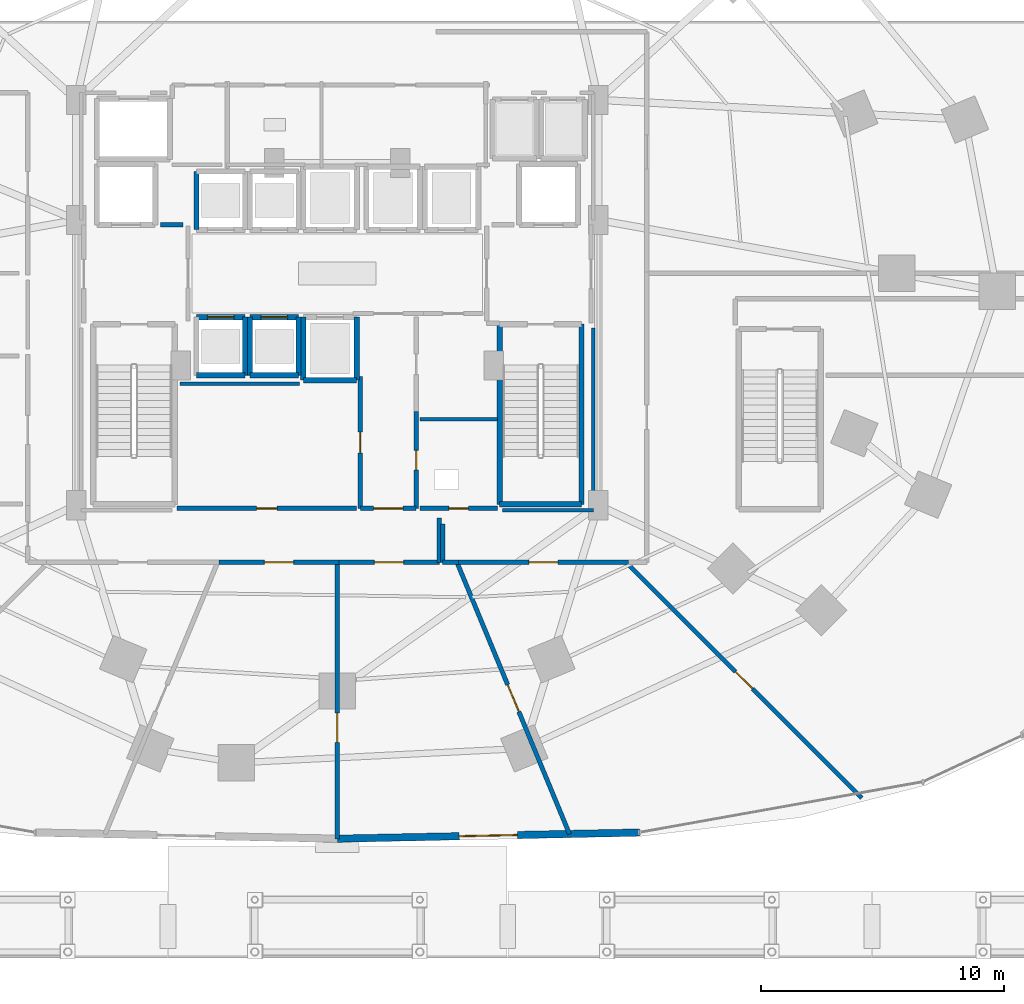
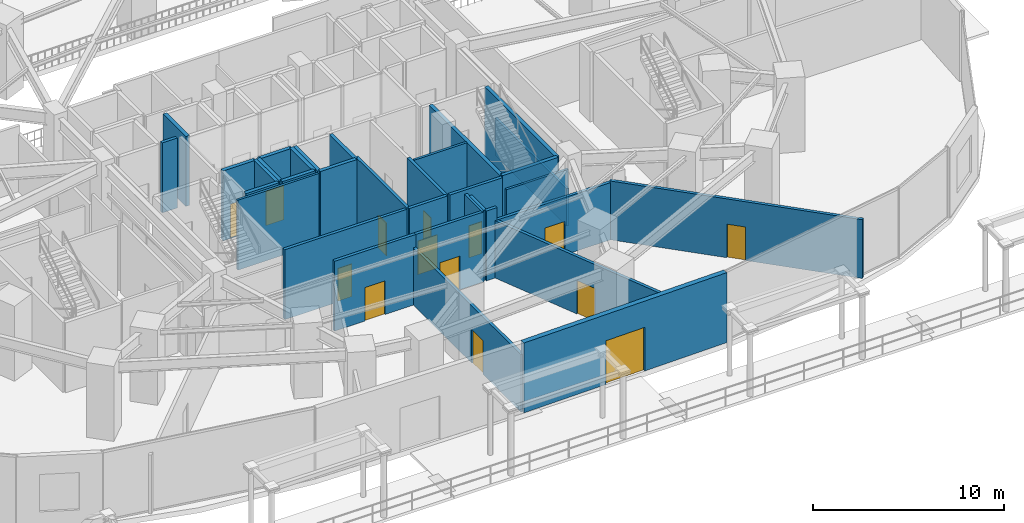
# One storey, part 27 of 36: 34 walls, 14 doors, 14 openings.
"""IFC4 building model written with IfcOpenShell, lengths in metres."""

from ifc_helpers import new_model, si_unit, direction, frame, frame_2d, origin, place, context, subcontext, project, spatial, rectangle, extrude, material, layer, layer_set, type_object, element, fill, save


model = new_model("IFC4")

# Units and contexts
model_context = context("Model", 3, precision=1e-05, world=origin(), true_north=direction((0.0, 1.0)))
body_context = subcontext(model_context, "Body", "Model", "MODEL_VIEW")
ifc_project = project(units=[si_unit("LENGTHUNIT", "METRE"), si_unit("AREAUNIT", "SQUARE_METRE"), si_unit("VOLUMEUNIT", "CUBIC_METRE"), si_unit("PLANEANGLEUNIT", "RADIAN"), si_unit("MASSUNIT", "GRAM", prefix="KILO")], contexts=[model_context])

# Site, building, storey
site_placement = place(None, origin())
site = spatial("IfcSite", under=ifc_project, at=site_placement, CompositionType="ELEMENT")
building_placement = place(site_placement, origin())
building = spatial("IfcBuilding", under=site, at=building_placement, Name="Vorneva Point Tower", CompositionType="ELEMENT")
storey_placement = place(building_placement, origin())
storey = spatial("IfcBuildingStorey", under=building, at=storey_placement, Name="L00", CompositionType="ELEMENT", Elevation=0.0)

# Wall, opening, door
ifc_material_1 = material(Name="Precast concrete B50 (C40/50)", Category="concrete")
ifc_layer_1 = layer(ifc_material_1, 0.300048828125)
ifc_layer_set_1 = layer_set([ifc_layer_1], Name="Precast concrete B50 (C40/50)")
wall_type_1 = type_object("IfcWallType", Name="WL-EXT-300", PredefinedType="STANDARD", material=ifc_layer_set_1)
wall_1_placement = place(storey_placement, frame((38.0, 2.714599609375, 0.0), z_axis=(0.0, 0.0, 1.0), x_axis=(0.999791851131, 0.020402313892, 0.0)))
wall_1 = element("IfcWall", 1, at=wall_1_placement, inside=storey, type_object=wall_type_1, Name="L00 Waterfront Facade Wall 25", PredefinedType="STANDARD", context=body_context, shape_type="SweptSolid", body=[
    extrude(rectangle(XDim=12.445068359375, YDim=0.300048828125, at=frame_2d((6.22265625, 0.0))), origin(), (0.0, 0.0, 1.0), 4.47998046875),
])
opening_1_placement = place(wall_1_placement, frame((5.0224609375, 0.0, 0.0)))
opening_1 = element("IfcOpeningElement", 2, at=opening_1_placement, cuts=wall_1, Name="Opening ED-01", PredefinedType="OPENING", context=body_context, shape_type="SweptSolid", body=[
    extrude(rectangle(XDim=2.39990234375, YDim=2.800048828125, at=frame_2d((1.199951171875, 1.39990234375))), frame((0.0, 0.1650390625, 0.0), z_axis=(0.0, -1.0, 0.0), x_axis=(1.0, 0.0, 0.0)), (0.0, 0.0, 1.0), 0.329833984375),
])
ifc_material_2 = material(Name="Pale anodised aluminium", Category="aluminium")
door_type_1 = type_object("IfcDoorType", Name="DR-ENT-2400", OperationType="DOUBLE_SWING_LEFT", PredefinedType="DOOR", material=ifc_material_2)
door_1_placement = place(opening_1_placement, frame((2.39990234375, 0.0, 0.0), z_axis=(0.0, 0.0, 1.0), x_axis=(-1.0, 0.0, 0.0)))
door_1 = element("IfcDoor", 3, at=door_1_placement, inside=storey, type_object=door_type_1, Name="L00 Main Waterfront Entrance Door 25", OperationType="DOUBLE_SWING_LEFT", OverallHeight=2.800048828125, OverallWidth=2.39990234375, PredefinedType="DOOR", context=body_context, shape_type="SweptSolid", body=[
    extrude(rectangle(XDim=2.39990234375, YDim=2.800048828125, at=frame_2d((1.199951171875, 1.39990234375))), frame((0.0, 0.02490234375, 0.0), z_axis=(0.0, -1.0, 0.0), x_axis=(1.0, 0.0, 0.0)), (0.0, 0.0, 1.0), 0.050048828125),
])
fill(opening_1, door_1)

# Walls
ifc_material_3 = material(Name="Fire-rated acoustic gypsum stud partition", Category="gypsum")
ifc_layer_2 = layer(ifc_material_3, 0.139892578125)
ifc_layer_set_2 = layer_set([ifc_layer_2], Name="Fire-rated acoustic gypsum stud partition")
wall_type_2 = type_object("IfcWallType", Name="WL-PART-140", PredefinedType="PARTITIONING", material=ifc_layer_set_2)
wall_2_placement = place(storey_placement, frame((44.60009765625, 20.0, 0.0), z_axis=(0.0, 0.0, 1.0), x_axis=(-1.0, 0.0, 0.0)))
element("IfcWall", 4, at=wall_2_placement, inside=storey, type_object=wall_type_2, Name="L00 Interior Partition 015", PredefinedType="PARTITIONING", context=body_context, shape_type="SweptSolid", body=[
    extrude(rectangle(XDim=3.2001953125, YDim=0.139892578125, at=frame_2d((1.60009765625, 0.0))), origin(), (0.0, 0.0, 1.0), 4.47998046875),
])
wall_3_placement = place(storey_placement, frame((36.43896484375, 21.449951171875, 0.0), z_axis=(0.0, 0.0, 1.0), x_axis=(-1.0, 0.0, 0.0)))
element("IfcWall", 5, at=wall_3_placement, inside=storey, type_object=wall_type_2, Name="L00 Interior Closure Partition 058", PredefinedType="PARTITIONING", context=body_context, shape_type="SweptSolid", body=[
    extrude(rectangle(XDim=4.908935546875, YDim=0.139892578125, at=frame_2d((2.45458984375, 0.0))), origin(), (0.0, 0.0, 1.0), 4.47998046875),
])
wall_4_placement = place(storey_placement, frame((48.550048828125, 23.75390625, 0.0), z_axis=(0.0, 0.0, 1.0), x_axis=(0.0, -1.0, 0.0)))
element("IfcWall", 6, at=wall_4_placement, inside=storey, type_object=wall_type_2, Name="L00 Interior Closure Partition 062", PredefinedType="PARTITIONING", context=body_context, shape_type="SweptSolid", body=[
    extrude(rectangle(XDim=7.513916015625, YDim=0.139892578125, at=frame_2d((3.7568359375, 0.0))), origin(), (0.0, 0.0, 1.0), 2.406005859375),
])
wall_5_placement = place(storey_placement, frame((48.550048828125, 16.239990234375, 0.0), z_axis=(0.0, 0.0, 1.0), x_axis=(-1.0, 0.0, 0.0)))
element("IfcWall", 7, at=wall_5_placement, inside=storey, type_object=wall_type_2, Name="L00 Interior Closure Partition 063", PredefinedType="PARTITIONING", context=body_context, shape_type="SweptSolid", body=[
    extrude(rectangle(XDim=3.7451171875, YDim=0.139892578125, at=frame_2d((1.87255859375, 0.0))), origin(), (0.0, 0.0, 1.0), 3.672119140625),
])

# Wall, opening, door
ifc_material_4 = material(Name="Autoclaved aerated concrete blockwork", Category="masonry")
ifc_layer_3 = layer(ifc_material_4, 0.179931640625)
ifc_layer_set_3 = layer_set([ifc_layer_3], Name="Autoclaved aerated concrete blockwork")
wall_type_3 = type_object("IfcWallType", Name="WL-PART-180", PredefinedType="PARTITIONING", material=ifc_layer_set_3)
wall_6_placement = place(storey_placement, frame((41.25, 16.320068359375, 0.0), z_axis=(0.0, 0.0, 1.0), x_axis=(0.0, 1.0, 0.0)))
wall_6 = element("IfcWall", 8, at=wall_6_placement, inside=storey, type_object=wall_type_3, Name="L00 Interior Partition 011", PredefinedType="PARTITIONING", context=body_context, shape_type="SweptSolid", body=[
    extrude(rectangle(XDim=3.98486328125, YDim=0.179931640625, at=frame_2d((1.992431640625, 0.0))), origin(), (0.0, 0.0, 1.0), 4.47998046875),
])
opening_2_placement = place(wall_6_placement, frame((1.592529296875, 0.0, 0.0)))
opening_2 = element("IfcOpeningElement", 9, at=opening_2_placement, cuts=wall_6, Name="Opening RD-01", PredefinedType="OPENING", context=body_context, shape_type="SweptSolid", body=[
    extrude(rectangle(XDim=0.800048828125, YDim=2.050048828125, at=frame_2d((0.39990234375, 1.02490234375))), frame((0.0, 0.10498046875, 0.0), z_axis=(0.0, -1.0, 0.0), x_axis=(1.0, 0.0, 0.0)), (0.0, 0.0, 1.0), 0.209716796875),
])
ifc_material_5 = material(Name="Fire-rated powder-coated steel", Category="steel")
door_type_2 = type_object("IfcDoorType", Name="DR-RSR-800", OperationType="SINGLE_SWING_LEFT", PredefinedType="DOOR", material=ifc_material_5)
door_2_placement = place(opening_2_placement, origin())
door_2 = element("IfcDoor", 10, at=door_2_placement, inside=storey, type_object=door_type_2, Name="L00 Door Core Service Lobby / Electrical Riser", OperationType="SINGLE_SWING_RIGHT", OverallHeight=2.050048828125, OverallWidth=0.800048828125, PredefinedType="DOOR", context=body_context, shape_type="SweptSolid", body=[
    extrude(rectangle(XDim=0.800048828125, YDim=2.050048828125, at=frame_2d((0.39990234375, 1.02490234375))), frame((0.0, 0.02490234375, 0.0), z_axis=(0.0, -1.0, 0.0), x_axis=(1.0, 0.0, 0.0)), (0.0, 0.0, 1.0), 0.050048828125),
])
fill(opening_2, door_2)

wall_7_placement = place(storey_placement, frame((38.949951171875, 21.7548828125, 0.0), z_axis=(0.0, 0.0, 1.0), x_axis=(0.0, -1.0, 0.0)))
wall_7 = element("IfcWall", 11, at=wall_7_placement, inside=storey, type_object=wall_type_3, Name="L00 Interior Partition 013", PredefinedType="PARTITIONING", context=body_context, shape_type="SweptSolid", body=[
    extrude(rectangle(XDim=5.434814453125, YDim=0.179931640625, at=frame_2d((2.71728515625, 0.0))), origin(), (0.0, 0.0, 1.0), 4.47998046875),
])
opening_3_placement = place(wall_7_placement, frame((2.29248046875, 0.0, 0.0)))
opening_3 = element("IfcOpeningElement", 12, at=opening_3_placement, cuts=wall_7, Name="Opening ID-02", PredefinedType="OPENING", context=body_context, shape_type="SweptSolid", body=[
    extrude(rectangle(XDim=0.85009765625, YDim=2.10009765625, at=frame_2d((0.425048828125, 1.050048828125))), frame((0.0, 0.10498046875, 0.0), z_axis=(0.0, -1.0, 0.0), x_axis=(1.0, 0.0, 0.0)), (0.0, 0.0, 1.0), 0.209716796875),
])
ifc_material_6 = material(Name="Engineered oak fire-rated door leaf", Category="wood")
door_type_3 = type_object("IfcDoorType", Name="DR-BATH-850", OperationType="NOTDEFINED", PredefinedType="DOOR", material=ifc_material_6)
door_3_placement = place(opening_3_placement, origin())
door_3 = element("IfcDoor", 13, at=door_3_placement, inside=storey, type_object=door_type_3, Name="L00 Door Core Service Lobby / Floor Storage Room", OperationType="SINGLE_SWING_RIGHT", OverallHeight=2.10009765625, OverallWidth=0.85009765625, PredefinedType="DOOR", context=body_context, shape_type="SweptSolid", body=[
    extrude(rectangle(XDim=0.85009765625, YDim=2.10009765625, at=frame_2d((0.425048828125, 1.050048828125))), frame((0.0, 0.02490234375, 0.0), z_axis=(0.0, -1.0, 0.0), x_axis=(1.0, 0.0, 0.0)), (0.0, 0.0, 1.0), 0.050048828125),
])
fill(opening_3, door_3)

wall_8_placement = place(storey_placement, frame((38.949951171875, 16.320068359375, 0.0), z_axis=(0.0, 0.0, 1.0), x_axis=(1.0, 0.0, 0.0)))
wall_8 = element("IfcWall", 14, at=wall_8_placement, inside=storey, type_object=wall_type_3, Name="L00 Interior Partition 014", PredefinedType="PARTITIONING", context=body_context, shape_type="SweptSolid", body=[
    extrude(rectangle(XDim=2.300048828125, YDim=0.179931640625, at=frame_2d((1.14990234375, 0.0))), origin(), (0.0, 0.0, 1.0), 4.47998046875),
])
opening_4_placement = place(wall_8_placement, frame((0.550048828125, 0.0, 0.0)))
opening_4 = element("IfcOpeningElement", 15, at=opening_4_placement, cuts=wall_8, Name="Opening FD-02", PredefinedType="OPENING", context=body_context, shape_type="SweptSolid", body=[
    extrude(rectangle(XDim=1.199951171875, YDim=2.14990234375, at=frame_2d((0.60009765625, 1.074951171875))), frame((0.0, 0.10498046875, 0.0), z_axis=(0.0, -1.0, 0.0), x_axis=(1.0, 0.0, 0.0)), (0.0, 0.0, 1.0), 0.209716796875),
])
door_type_4 = type_object("IfcDoorType", Name="DR-FFL-1200", OperationType="NOTDEFINED", PredefinedType="DOOR", material=ifc_material_5)
door_4_placement = place(opening_4_placement, origin())
door_4 = element("IfcDoor", 16, at=door_4_placement, inside=storey, type_object=door_type_4, Name="L00 Door Core Service Lobby / L00 Circulation Corridor", OperationType="SINGLE_SWING_LEFT", OverallHeight=2.14990234375, OverallWidth=1.199951171875, PredefinedType="DOOR", context=body_context, shape_type="SweptSolid", body=[
    extrude(rectangle(XDim=1.199951171875, YDim=2.14990234375, at=frame_2d((0.60009765625, 1.074951171875))), frame((0.0, 0.02490234375, 0.0), z_axis=(0.0, -1.0, 0.0), x_axis=(1.0, 0.0, 0.0)), (0.0, 0.0, 1.0), 0.050048828125),
])
fill(opening_4, door_4)

wall_9_placement = place(storey_placement, frame((41.39990234375, 16.320068359375, 0.0), z_axis=(0.0, 0.0, 1.0), x_axis=(1.0, 0.0, 0.0)))
wall_9 = element("IfcWall", 17, at=wall_9_placement, inside=storey, type_object=wall_type_3, Name="L00 Interior Partition 016", PredefinedType="PARTITIONING", context=body_context, shape_type="SweptSolid", body=[
    extrude(rectangle(XDim=3.2001953125, YDim=0.179931640625, at=frame_2d((1.60009765625, 0.0))), origin(), (0.0, 0.0, 1.0), 4.47998046875),
])
opening_5_placement = place(wall_9_placement, frame((1.199951171875, 0.0, 0.0)))
opening_5 = element("IfcOpeningElement", 18, at=opening_5_placement, cuts=wall_9, Name="Opening RD-01", PredefinedType="OPENING", context=body_context, shape_type="SweptSolid", body=[
    extrude(rectangle(XDim=0.800048828125, YDim=2.050048828125, at=frame_2d((0.39990234375, 1.02490234375))), frame((0.0, 0.10498046875, 0.0), z_axis=(0.0, -1.0, 0.0), x_axis=(1.0, 0.0, 0.0)), (0.0, 0.0, 1.0), 0.209716796875),
])
door_5_placement = place(opening_5_placement, origin())
door_5 = element("IfcDoor", 19, at=door_5_placement, inside=storey, type_object=door_type_2, Name="L00 Door Electrical Riser / L00 Circulation Corridor", OperationType="SINGLE_SWING_RIGHT", OverallHeight=2.050048828125, OverallWidth=0.800048828125, PredefinedType="DOOR", context=body_context, shape_type="SweptSolid", body=[
    extrude(rectangle(XDim=0.800048828125, YDim=2.050048828125, at=frame_2d((0.39990234375, 1.02490234375))), frame((0.0, 0.02490234375, 0.0), z_axis=(0.0, -1.0, 0.0), x_axis=(1.0, 0.0, 0.0)), (0.0, 0.0, 1.0), 0.050048828125),
])
fill(opening_5, door_5)

wall_10_placement = place(storey_placement, frame((31.39990234375, 16.320068359375, 0.0), z_axis=(0.0, 0.0, 1.0), x_axis=(1.0, 0.0, 0.0)))
wall_10 = element("IfcWall", 20, at=wall_10_placement, inside=storey, type_object=wall_type_3, Name="L00 Interior Partition 021", PredefinedType="PARTITIONING", context=body_context, shape_type="SweptSolid", body=[
    extrude(rectangle(XDim=7.400146484375, YDim=0.179931640625, at=frame_2d((3.7001953125, 0.0))), origin(), (0.0, 0.0, 1.0), 4.47998046875),
])
opening_6_placement = place(wall_10_placement, frame((3.27490234375, 0.0, 0.0)))
opening_6 = element("IfcOpeningElement", 21, at=opening_6_placement, cuts=wall_10, Name="Opening ID-02", PredefinedType="OPENING", context=body_context, shape_type="SweptSolid", body=[
    extrude(rectangle(XDim=0.85009765625, YDim=2.10009765625, at=frame_2d((0.425048828125, 1.050048828125))), frame((0.0, 0.10498046875, 0.0), z_axis=(0.0, -1.0, 0.0), x_axis=(1.0, 0.0, 0.0)), (0.0, 0.0, 1.0), 0.209716796875),
])
door_6_placement = place(opening_6_placement, origin())
door_6 = element("IfcDoor", 22, at=door_6_placement, inside=storey, type_object=door_type_3, Name="L00 Door Floor Storage Room / L00 Circulation Corridor", OperationType="SINGLE_SWING_LEFT", OverallHeight=2.10009765625, OverallWidth=0.85009765625, PredefinedType="DOOR", context=body_context, shape_type="SweptSolid", body=[
    extrude(rectangle(XDim=0.85009765625, YDim=2.10009765625, at=frame_2d((0.425048828125, 1.050048828125))), frame((0.0, 0.02490234375, 0.0), z_axis=(0.0, -1.0, 0.0), x_axis=(1.0, 0.0, 0.0)), (0.0, 0.0, 1.0), 0.050048828125),
])
fill(opening_6, door_6)

wall_11_placement = place(storey_placement, frame((33.131103515625, 14.10009765625, 0.0), z_axis=(0.0, 0.0, 1.0), x_axis=(1.0, 0.0, 0.0)))
wall_11 = element("IfcWall", 23, at=wall_11_placement, inside=storey, type_object=wall_type_3, Name="L00 Interior Partition 024", PredefinedType="PARTITIONING", context=body_context, shape_type="SweptSolid", body=[
    extrude(rectangle(XDim=4.928955078125, YDim=0.179931640625, at=frame_2d((2.46435546875, 0.0))), origin(), (0.0, 0.0, 1.0), 4.47998046875),
])
opening_7_placement = place(wall_11_placement, frame((1.864501953125, 0.0, 0.0)))
opening_7 = element("IfcOpeningElement", 24, at=opening_7_placement, cuts=wall_11, Name="Opening FD-02", PredefinedType="OPENING", context=body_context, shape_type="SweptSolid", body=[
    extrude(rectangle(XDim=1.199951171875, YDim=2.14990234375, at=frame_2d((0.60009765625, 1.074951171875))), frame((0.0, 0.10498046875, 0.0), z_axis=(0.0, -1.0, 0.0), x_axis=(1.0, 0.0, 0.0)), (0.0, 0.0, 1.0), 0.209716796875),
])
door_7_placement = place(opening_7_placement, origin())
door_7 = element("IfcDoor", 25, at=door_7_placement, inside=storey, type_object=door_type_4, Name="L00 Door L00 Circulation Corridor / Main Waterfront Entrance Lobby", OperationType="SINGLE_SWING_RIGHT", OverallHeight=2.14990234375, OverallWidth=1.199951171875, PredefinedType="DOOR", context=body_context, shape_type="SweptSolid", body=[
    extrude(rectangle(XDim=1.199951171875, YDim=2.14990234375, at=frame_2d((0.60009765625, 1.074951171875))), frame((0.0, 0.02490234375, 0.0), z_axis=(0.0, -1.0, 0.0), x_axis=(1.0, 0.0, 0.0)), (0.0, 0.0, 1.0), 0.050048828125),
])
fill(opening_7, door_7)

# Walls
wall_12_placement = place(storey_placement, frame((42.340087890625, 15.678955078125, 0.0), z_axis=(0.0, 0.0, 1.0), x_axis=(0.0, -1.0, 0.0)))
element("IfcWall", 26, at=wall_12_placement, inside=storey, type_object=wall_type_3, Name="L00 Interior Partition 025", PredefinedType="PARTITIONING", context=body_context, shape_type="SweptSolid", body=[
    extrude(rectangle(XDim=1.578857421875, YDim=0.179931640625, at=frame_2d((0.78955078125, 0.0))), origin(), (0.0, 0.0, 1.0), 4.47998046875),
])
wall_13_placement = place(storey_placement, frame((42.340087890625, 14.10009765625, 0.0), z_axis=(0.0, 0.0, 1.0), x_axis=(1.0, 0.0, 0.0)))
element("IfcWall", 27, at=wall_13_placement, inside=storey, type_object=wall_type_3, Name="L00 Interior Partition 026", PredefinedType="PARTITIONING", context=body_context, shape_type="SweptSolid", body=[
    extrude(rectangle(XDim=0.65380859375, YDim=0.179931640625, at=frame_2d((0.326904296875, 0.0))), origin(), (0.0, 0.0, 1.0), 4.47998046875),
])

# Wall, opening, door
wall_14_placement = place(storey_placement, frame((38.06005859375, 14.10009765625, 0.0), z_axis=(0.0, 0.0, 1.0), x_axis=(1.0, 0.0, 0.0)))
wall_14 = element("IfcWall", 28, at=wall_14_placement, inside=storey, type_object=wall_type_3, Name="L00 Interior Partition 027", PredefinedType="PARTITIONING", context=body_context, shape_type="SweptSolid", body=[
    extrude(rectangle(XDim=4.139892578125, YDim=0.179931640625, at=frame_2d((2.06982421875, 0.0))), origin(), (0.0, 0.0, 1.0), 4.47998046875),
])
opening_8_placement = place(wall_14_placement, frame((1.469970703125, 0.0, 0.0)))
opening_8 = element("IfcOpeningElement", 29, at=opening_8_placement, cuts=wall_14, Name="Opening FD-02", PredefinedType="OPENING", context=body_context, shape_type="SweptSolid", body=[
    extrude(rectangle(XDim=1.199951171875, YDim=2.14990234375, at=frame_2d((0.60009765625, 1.074951171875))), frame((0.0, 0.10498046875, 0.0), z_axis=(0.0, -1.0, 0.0), x_axis=(1.0, 0.0, 0.0)), (0.0, 0.0, 1.0), 0.209716796875),
])
door_8_placement = place(opening_8_placement, origin())
door_8 = element("IfcDoor", 30, at=door_8_placement, inside=storey, type_object=door_type_4, Name="L00 Door L00 Circulation Corridor / Main Waterfront Entrance Hall East", OperationType="SINGLE_SWING_LEFT", OverallHeight=2.14990234375, OverallWidth=1.199951171875, PredefinedType="DOOR", context=body_context, shape_type="SweptSolid", body=[
    extrude(rectangle(XDim=1.199951171875, YDim=2.14990234375, at=frame_2d((0.60009765625, 1.074951171875))), frame((0.0, 0.02490234375, 0.0), z_axis=(0.0, -1.0, 0.0), x_axis=(1.0, 0.0, 0.0)), (0.0, 0.0, 1.0), 0.050048828125),
])
fill(opening_8, door_8)

# Wall
wall_15_placement = place(storey_placement, frame((42.199951171875, 14.10009765625, 0.0), z_axis=(0.0, 0.0, 1.0), x_axis=(0.0, 1.0, 0.0)))
element("IfcWall", 31, at=wall_15_placement, inside=storey, type_object=wall_type_3, Name="L00 Interior Partition 028", PredefinedType="PARTITIONING", context=body_context, shape_type="SweptSolid", body=[
    extrude(rectangle(XDim=1.81982421875, YDim=0.179931640625, at=frame_2d((0.909912109375, 0.0))), origin(), (0.0, 0.0, 1.0), 4.47998046875),
])

# Wall, opening, door
wall_16_placement = place(storey_placement, frame((42.993896484375, 14.10009765625, 0.0), z_axis=(0.0, 0.0, 1.0), x_axis=(1.0, 0.0, 0.0)))
wall_16 = element("IfcWall", 32, at=wall_16_placement, inside=storey, type_object=wall_type_3, Name="L00 Interior Partition 029", PredefinedType="PARTITIONING", context=body_context, shape_type="SweptSolid", body=[
    extrude(rectangle(XDim=6.9912109375, YDim=0.179931640625, at=frame_2d((3.49560546875, 0.0))), origin(), (0.0, 0.0, 1.0), 3.672119140625),
])
opening_9_placement = place(wall_16_placement, frame((2.8955078125, 0.0, 0.0)))
opening_9 = element("IfcOpeningElement", 33, at=opening_9_placement, cuts=wall_16, Name="Opening FD-02", PredefinedType="OPENING", context=body_context, shape_type="SweptSolid", body=[
    extrude(rectangle(XDim=1.199951171875, YDim=2.14990234375, at=frame_2d((0.60009765625, 1.074951171875))), frame((0.0, 0.10498046875, 0.0), z_axis=(0.0, -1.0, 0.0), x_axis=(1.0, 0.0, 0.0)), (0.0, 0.0, 1.0), 0.209716796875),
])
door_9_placement = place(opening_9_placement, origin())
door_9 = element("IfcDoor", 34, at=door_9_placement, inside=storey, type_object=door_type_4, Name="L00 Door L00 Circulation Corridor / Waterfront Cloakroom and Guest Lounge", OperationType="SINGLE_SWING_RIGHT", OverallHeight=2.14990234375, OverallWidth=1.199951171875, PredefinedType="DOOR", context=body_context, shape_type="SweptSolid", body=[
    extrude(rectangle(XDim=1.199951171875, YDim=2.14990234375, at=frame_2d((0.60009765625, 1.074951171875))), frame((0.0, 0.02490234375, 0.0), z_axis=(0.0, -1.0, 0.0), x_axis=(1.0, 0.0, 0.0)), (0.0, 0.0, 1.0), 0.050048828125),
])
fill(opening_9, door_9)

wall_17_placement = place(storey_placement, frame((38.0, 2.70703125, 0.0), z_axis=(0.0, 0.0, 1.0), x_axis=(0.0, 1.0, 0.0)))
wall_17 = element("IfcWall", 35, at=wall_17_placement, inside=storey, type_object=wall_type_3, Name="L00 Interior Partition 046", PredefinedType="PARTITIONING", context=body_context, shape_type="SweptSolid", body=[
    extrude(rectangle(XDim=11.39306640625, YDim=0.179931640625, at=frame_2d((5.696533203125, 0.0))), origin(), (0.0, 0.0, 1.0), 3.672119140625),
])
opening_10_placement = place(wall_17_placement, frame((3.9765625, 0.0, 0.0)))
opening_10 = element("IfcOpeningElement", 36, at=opening_10_placement, cuts=wall_17, Name="Opening FD-02", PredefinedType="OPENING", context=body_context, shape_type="SweptSolid", body=[
    extrude(rectangle(XDim=1.199951171875, YDim=2.14990234375, at=frame_2d((0.60009765625, 1.074951171875))), frame((0.0, 0.10498046875, 0.0), z_axis=(0.0, -1.0, 0.0), x_axis=(1.0, 0.0, 0.0)), (0.0, 0.0, 1.0), 0.209716796875),
])
door_10_placement = place(opening_10_placement, origin())
door_10 = element("IfcDoor", 37, at=door_10_placement, inside=storey, type_object=door_type_4, Name="L00 Door Main Waterfront Entrance Lobby / Main Waterfront Entrance Hall East", OperationType="SINGLE_SWING_LEFT", OverallHeight=2.14990234375, OverallWidth=1.199951171875, PredefinedType="DOOR", context=body_context, shape_type="SweptSolid", body=[
    extrude(rectangle(XDim=1.199951171875, YDim=2.14990234375, at=frame_2d((0.60009765625, 1.074951171875))), frame((0.0, 0.02490234375, 0.0), z_axis=(0.0, -1.0, 0.0), x_axis=(1.0, 0.0, 0.0)), (0.0, 0.0, 1.0), 0.050048828125),
])
fill(opening_10, door_10)

wall_18_placement = place(storey_placement, frame((47.56689453125, 2.903076171875, 0.0), z_axis=(0.0, 0.0, 1.0), x_axis=(-0.382682115092, 0.923880078142, 0.0)))
wall_18 = element("IfcWall", 38, at=wall_18_placement, inside=storey, type_object=wall_type_3, Name="L00 Interior Partition 047", PredefinedType="PARTITIONING", context=body_context, shape_type="SweptSolid", body=[
    extrude(rectangle(XDim=12.11962890625, YDim=0.179931640625, at=frame_2d((6.059814453125, 0.0))), origin(), (0.0, 0.0, 1.0), 3.672119140625),
])
opening_11_placement = place(wall_18_placement, frame((5.459716796875, 0.0, 0.0)))
opening_11 = element("IfcOpeningElement", 39, at=opening_11_placement, cuts=wall_18, Name="Opening FD-02", PredefinedType="OPENING", context=body_context, shape_type="SweptSolid", body=[
    extrude(rectangle(XDim=1.199951171875, YDim=2.14990234375, at=frame_2d((0.60009765625, 1.074951171875))), frame((0.0, 0.10498046875, 0.0), z_axis=(0.0, -1.0, 0.0), x_axis=(1.0, 0.0, 0.0)), (0.0, 0.0, 1.0), 0.209716796875),
])
door_11_placement = place(opening_11_placement, origin())
door_11 = element("IfcDoor", 40, at=door_11_placement, inside=storey, type_object=door_type_4, Name="L00 Door Main Waterfront Entrance Hall East / Waterfront Cloakroom and Guest Lounge", OperationType="SINGLE_SWING_RIGHT", OverallHeight=2.14990234375, OverallWidth=1.199951171875, PredefinedType="DOOR", context=body_context, shape_type="SweptSolid", body=[
    extrude(rectangle(XDim=1.199951171875, YDim=2.14990234375, at=frame_2d((0.60009765625, 1.074951171875))), frame((0.0, 0.02490234375, 0.0), z_axis=(0.0, -1.0, 0.0), x_axis=(1.0, 0.0, 0.0)), (0.0, 0.0, 1.0), 0.050048828125),
])
fill(opening_11, door_11)

wall_19_placement = place(storey_placement, frame((59.60888671875, 4.39111328125, 0.0), z_axis=(0.0, 0.0, 1.0), x_axis=(-0.707106781187, 0.707106781187, 0.0)))
wall_19 = element("IfcWall", 41, at=wall_19_placement, inside=storey, type_object=wall_type_3, Name="L00 Interior Partition 048", PredefinedType="PARTITIONING", context=body_context, shape_type="SweptSolid", body=[
    extrude(rectangle(XDim=13.73046875, YDim=0.179931640625, at=frame_2d((6.865234375, 0.0))), origin(), (0.0, 0.0, 1.0), 3.76904296875),
])
opening_12_placement = place(wall_19_placement, frame((6.365234375, 0.0, 0.0)))
opening_12 = element("IfcOpeningElement", 42, at=opening_12_placement, cuts=wall_19, Name="Opening UD-01", PredefinedType="OPENING", context=body_context, shape_type="SweptSolid", body=[
    extrude(rectangle(XDim=1.0, YDim=2.14990234375, at=frame_2d((0.5, 1.074951171875))), frame((0.0, 0.10498046875, 0.0), z_axis=(0.0, -1.0, 0.0), x_axis=(1.0, 0.0, 0.0)), (0.0, 0.0, 1.0), 0.209716796875),
])
door_type_5 = type_object("IfcDoorType", Name="DR-UNIT-1000", OperationType="NOTDEFINED", PredefinedType="DOOR", material=ifc_material_6)
door_12_placement = place(opening_12_placement, origin())
door_12 = element("IfcDoor", 43, at=door_12_placement, inside=storey, type_object=door_type_5, Name="L00 Door Waterfront Cloakroom and Guest Lounge / Harbour Restaurant", OperationType="SINGLE_SWING_RIGHT", OverallHeight=2.14990234375, OverallWidth=1.0, PredefinedType="DOOR", context=body_context, shape_type="SweptSolid", body=[
    extrude(rectangle(XDim=1.0, YDim=2.14990234375, at=frame_2d((0.5, 1.074951171875))), frame((0.0, 0.02490234375, 0.0), z_axis=(0.0, -1.0, 0.0), x_axis=(1.0, 0.0, 0.0)), (0.0, 0.0, 1.0), 0.050048828125),
])
fill(opening_12, door_12)

# Walls
wall_20_placement = place(storey_placement, frame((31.635009765625, 28.0, 0.0), z_axis=(0.0, 0.0, 1.0), x_axis=(-1.0, 0.0, 0.0)))
element("IfcWall", 44, at=wall_20_placement, inside=storey, type_object=wall_type_3, Name="L00 Interior Closure Partition 051", PredefinedType="PARTITIONING", context=body_context, shape_type="SweptSolid", body=[
    extrude(rectangle(XDim=0.9150390625, YDim=0.179931640625, at=frame_2d((0.45751953125, 0.0))), origin(), (0.0, 0.0, 1.0), 4.47998046875),
])
ifc_material_7 = material(Name="Concrete B50 (C40/50)", Category="concrete")
ifc_layer_4 = layer(ifc_material_7, 0.219970703125)
ifc_layer_set_4 = layer_set([ifc_layer_4], Name="Concrete B50 (C40/50)")
wall_type_4 = type_object("IfcWallType", Name="WL-SHFT-220", PredefinedType="SOLIDWALL", material=ifc_layer_set_4)
wall_21_placement = place(storey_placement, frame((48.06005859375, 23.909912109375, 0.0), z_axis=(0.0, 0.0, 1.0), x_axis=(0.0, -1.0, 0.0)))
element("IfcWall", 45, at=wall_21_placement, inside=storey, type_object=wall_type_4, Name="L00 Exit Stair ST2 Shaft Wall right", PredefinedType="SOLIDWALL", context=body_context, shape_type="SweptSolid", body=[
    extrude(rectangle(XDim=7.419921875, YDim=0.219970703125, at=frame_2d((3.7099609375, 0.0))), origin(), (0.0, 0.0, 1.0), 4.47998046875),
])
wall_22_placement = place(storey_placement, frame((48.06005859375, 16.489990234375, 0.0), z_axis=(0.0, 0.0, 1.0), x_axis=(-1.0, 0.0, 0.0)))
element("IfcWall", 46, at=wall_22_placement, inside=storey, type_object=wall_type_4, Name="L00 Exit Stair ST2 Shaft Wall far", PredefinedType="SOLIDWALL", context=body_context, shape_type="SweptSolid", body=[
    extrude(rectangle(XDim=3.3701171875, YDim=0.219970703125, at=frame_2d((1.68505859375, 0.0))), origin(), (0.0, 0.0, 1.0), 4.47998046875),
])
wall_23_placement = place(storey_placement, frame((44.68994140625, 16.489990234375, 0.0), z_axis=(0.0, 0.0, 1.0), x_axis=(0.0, 1.0, 0.0)))
element("IfcWall", 47, at=wall_23_placement, inside=storey, type_object=wall_type_4, Name="L00 Exit Stair ST2 Shaft Wall left", PredefinedType="SOLIDWALL", context=body_context, shape_type="SweptSolid", body=[
    extrude(rectangle(XDim=7.419921875, YDim=0.219970703125, at=frame_2d((3.7099609375, 0.0))), origin(), (0.0, 0.0, 1.0), 4.47998046875),
])
wall_24_placement = place(storey_placement, frame((32.199951171875, 30.199951171875, 0.0), z_axis=(0.0, 0.0, 1.0), x_axis=(0.0, -1.0, 0.0)))
element("IfcWall", 48, at=wall_24_placement, inside=storey, type_object=wall_type_4, Name="L00 Lift PL1 Shaft Wall -X", PredefinedType="SOLIDWALL", context=body_context, shape_type="SweptSolid", body=[
    extrude(rectangle(XDim=2.39990234375, YDim=0.219970703125, at=frame_2d((1.199951171875, 0.0))), origin(), (0.0, 0.0, 1.0), 4.47998046875),
])
wall_25_placement = place(storey_placement, frame((32.199951171875, 21.800048828125, 0.0), z_axis=(0.0, 0.0, 1.0), x_axis=(1.0, 0.0, 0.0)))
element("IfcWall", 49, at=wall_25_placement, inside=storey, type_object=wall_type_4, Name="L00 Lift PL4 Shaft Wall -Y", PredefinedType="SOLIDWALL", context=body_context, shape_type="SweptSolid", body=[
    extrude(rectangle(XDim=2.0, YDim=0.219970703125, at=frame_2d((1.0, 0.0))), origin(), (0.0, 0.0, 1.0), 4.47998046875),
])
wall_26_placement = place(storey_placement, frame((34.199951171875, 21.800048828125, 0.0), z_axis=(0.0, 0.0, 1.0), x_axis=(0.0, 1.0, 0.0)))
element("IfcWall", 50, at=wall_26_placement, inside=storey, type_object=wall_type_4, Name="L00 Lift PL4 Shaft Wall +X", PredefinedType="SOLIDWALL", context=body_context, shape_type="SweptSolid", body=[
    extrude(rectangle(XDim=2.39990234375, YDim=0.219970703125, at=frame_2d((1.199951171875, 0.0))), origin(), (0.0, 0.0, 1.0), 4.47998046875),
])

# Wall, opening, door
wall_27_placement = place(storey_placement, frame((34.199951171875, 24.199951171875, 0.0), z_axis=(0.0, 0.0, 1.0), x_axis=(-1.0, 0.0, 0.0)))
wall_27 = element("IfcWall", 51, at=wall_27_placement, inside=storey, type_object=wall_type_4, Name="L00 Lift PL4 Shaft Wall +Y", PredefinedType="SOLIDWALL", context=body_context, shape_type="SweptSolid", body=[
    extrude(rectangle(XDim=2.0, YDim=0.219970703125, at=frame_2d((1.0, 0.0))), origin(), (0.0, 0.0, 1.0), 4.47998046875),
])
opening_13_placement = place(wall_27_placement, frame((0.449951171875, 0.0, 0.0)))
opening_13 = element("IfcOpeningElement", 52, at=opening_13_placement, cuts=wall_27, Name="Opening LD-01", PredefinedType="OPENING", context=body_context, shape_type="SweptSolid", body=[
    extrude(rectangle(XDim=1.10009765625, YDim=2.199951171875, at=frame_2d((0.550048828125, 1.10009765625))), frame((0.0, 0.125, 0.0), z_axis=(0.0, -1.0, 0.0), x_axis=(1.0, 0.0, 0.0)), (0.0, 0.0, 1.0), 0.249755859375),
])
ifc_material_8 = material(Name="Brushed stainless steel S304", Category="steel")
door_type_6 = type_object("IfcDoorType", Name="LD-PASS-1100", OperationType="SLIDING_TO_LEFT", PredefinedType="DOOR", material=ifc_material_8)
door_13_placement = place(opening_13_placement, origin())
door_13 = element("IfcDoor", 53, at=door_13_placement, inside=storey, type_object=door_type_6, Name="L00 Lift PL4 Sliding Landing Door", OperationType="SLIDING_TO_LEFT", OverallHeight=2.199951171875, OverallWidth=1.10009765625, PredefinedType="DOOR", context=body_context, shape_type="SweptSolid", body=[
    extrude(rectangle(XDim=1.10009765625, YDim=2.199951171875, at=frame_2d((0.550048828125, 1.10009765625))), frame((0.0, 0.02490234375, 0.0), z_axis=(0.0, -1.0, 0.0), x_axis=(1.0, 0.0, 0.0)), (0.0, 0.0, 1.0), 0.050048828125),
])
fill(opening_13, door_13)

# Walls
wall_28_placement = place(storey_placement, frame((34.39990234375, 21.800048828125, 0.0), z_axis=(0.0, 0.0, 1.0), x_axis=(1.0, 0.0, 0.0)))
element("IfcWall", 54, at=wall_28_placement, inside=storey, type_object=wall_type_4, Name="L00 Lift PL5 Shaft Wall -Y", PredefinedType="SOLIDWALL", context=body_context, shape_type="SweptSolid", body=[
    extrude(rectangle(XDim=2.0, YDim=0.219970703125, at=frame_2d((1.0, 0.0))), origin(), (0.0, 0.0, 1.0), 4.47998046875),
])
wall_29_placement = place(storey_placement, frame((36.39990234375, 21.800048828125, 0.0), z_axis=(0.0, 0.0, 1.0), x_axis=(0.0, 1.0, 0.0)))
element("IfcWall", 55, at=wall_29_placement, inside=storey, type_object=wall_type_4, Name="L00 Lift PL5 Shaft Wall +X", PredefinedType="SOLIDWALL", context=body_context, shape_type="SweptSolid", body=[
    extrude(rectangle(XDim=2.39990234375, YDim=0.219970703125, at=frame_2d((1.199951171875, 0.0))), origin(), (0.0, 0.0, 1.0), 4.47998046875),
])

# Wall, opening, door
wall_30_placement = place(storey_placement, frame((36.39990234375, 24.199951171875, 0.0), z_axis=(0.0, 0.0, 1.0), x_axis=(-1.0, 0.0, 0.0)))
wall_30 = element("IfcWall", 56, at=wall_30_placement, inside=storey, type_object=wall_type_4, Name="L00 Lift PL5 Shaft Wall +Y", PredefinedType="SOLIDWALL", context=body_context, shape_type="SweptSolid", body=[
    extrude(rectangle(XDim=2.0, YDim=0.219970703125, at=frame_2d((1.0, 0.0))), origin(), (0.0, 0.0, 1.0), 4.47998046875),
])
opening_14_placement = place(wall_30_placement, frame((0.449951171875, 0.0, 0.0)))
opening_14 = element("IfcOpeningElement", 57, at=opening_14_placement, cuts=wall_30, Name="Opening LD-01", PredefinedType="OPENING", context=body_context, shape_type="SweptSolid", body=[
    extrude(rectangle(XDim=1.10009765625, YDim=2.199951171875, at=frame_2d((0.550048828125, 1.10009765625))), frame((0.0, 0.125, 0.0), z_axis=(0.0, -1.0, 0.0), x_axis=(1.0, 0.0, 0.0)), (0.0, 0.0, 1.0), 0.249755859375),
])
door_14_placement = place(opening_14_placement, origin())
door_14 = element("IfcDoor", 58, at=door_14_placement, inside=storey, type_object=door_type_6, Name="L00 Lift PL5 Sliding Landing Door", OperationType="SLIDING_TO_LEFT", OverallHeight=2.199951171875, OverallWidth=1.10009765625, PredefinedType="DOOR", context=body_context, shape_type="SweptSolid", body=[
    extrude(rectangle(XDim=1.10009765625, YDim=2.199951171875, at=frame_2d((0.550048828125, 1.10009765625))), frame((0.0, 0.02490234375, 0.0), z_axis=(0.0, -1.0, 0.0), x_axis=(1.0, 0.0, 0.0)), (0.0, 0.0, 1.0), 0.050048828125),
])
fill(opening_14, door_14)

# Walls
wall_31_placement = place(storey_placement, frame((34.39990234375, 24.199951171875, 0.0), z_axis=(0.0, 0.0, 1.0), x_axis=(0.0, -1.0, 0.0)))
element("IfcWall", 59, at=wall_31_placement, inside=storey, type_object=wall_type_4, Name="L00 Lift PL5 Shaft Wall -X", PredefinedType="SOLIDWALL", context=body_context, shape_type="SweptSolid", body=[
    extrude(rectangle(XDim=2.39990234375, YDim=0.219970703125, at=frame_2d((1.199951171875, 0.0))), origin(), (0.0, 0.0, 1.0), 4.47998046875),
])
wall_32_placement = place(storey_placement, frame((36.60009765625, 21.60009765625, 0.0), z_axis=(0.0, 0.0, 1.0), x_axis=(1.0, 0.0, 0.0)))
element("IfcWall", 60, at=wall_32_placement, inside=storey, type_object=wall_type_4, Name="L00 Lift PL6 Shaft Wall -Y", PredefinedType="SOLIDWALL", context=body_context, shape_type="SweptSolid", body=[
    extrude(rectangle(XDim=2.199951171875, YDim=0.219970703125, at=frame_2d((1.10009765625, 0.0))), origin(), (0.0, 0.0, 1.0), 4.47998046875),
])
for number, where, z_axis, x_axis, name in (
    (61, (38.800048828125, 21.60009765625, 0.0), (0.0, 0.0, 1.0), (0.0, 1.0, 0.0), "L00 Lift PL6 Shaft Wall +X"),
    (62, (36.60009765625, 24.199951171875, 0.0), (0.0, 0.0, 1.0), (0.0, -1.0, 0.0), "L00 Lift PL6 Shaft Wall -X"),
):
    element("IfcWall", number, at=place(storey_placement, frame(where, z_axis=z_axis, x_axis=x_axis)), inside=storey, type_object=wall_type_4, Name=name, PredefinedType="SOLIDWALL", context=body_context, shape_type="SweptSolid", body=[
        extrude(rectangle(XDim=2.599853515625, YDim=0.219970703125, at=frame_2d((1.2998046875, 0.0))), origin(), (0.0, 0.0, 1.0), 4.47998046875),
    ])

save(model, "model.ifc")
